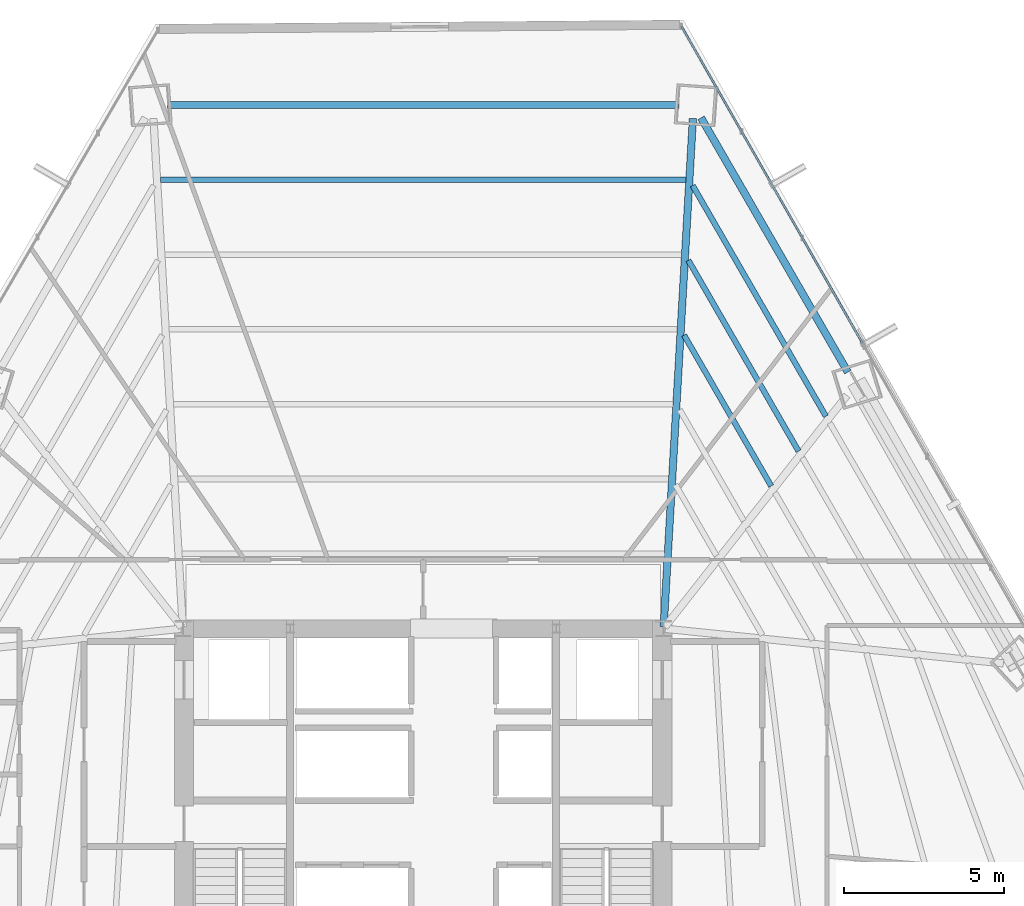
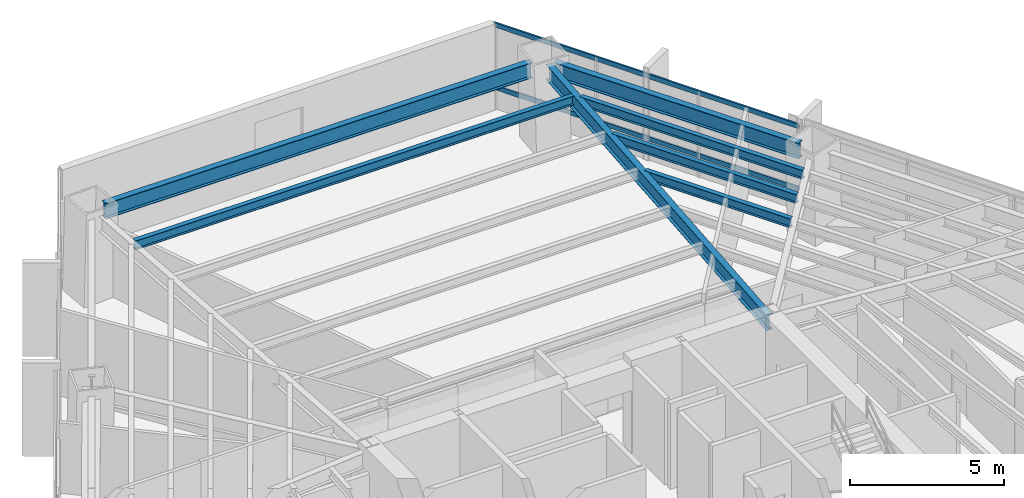
# One storey, part 27 of 36: 7 beams, 2 members, 1 element without a shape of its own.
"""IFC4 building model written with IfcOpenShell, lengths in metres."""

from ifc_helpers import new_model, si_unit, direction, frame, origin, origin_2d, place, context, subcontext, project, spatial, hollow_rectangle, i_section, extrude, source, transform, mapped, material, material_profile, profile_set, type_object, type_shapes, element, aggregate, save


model = new_model("IFC4")

# Units and contexts
model_context = context("Model", 3, precision=1e-05, world=origin(), true_north=direction((0.0, 1.0)))
body_context = subcontext(model_context, "Body", "Model", "MODEL_VIEW")
ifc_project = project(units=[si_unit("LENGTHUNIT", "METRE"), si_unit("AREAUNIT", "SQUARE_METRE"), si_unit("VOLUMEUNIT", "CUBIC_METRE"), si_unit("PLANEANGLEUNIT", "RADIAN"), si_unit("MASSUNIT", "GRAM", prefix="KILO")], contexts=[model_context])

# Site, building, storey
site_placement = place(None, origin())
site = spatial("IfcSite", under=ifc_project, at=site_placement, CompositionType="ELEMENT")
building_placement = place(site_placement, origin())
building = spatial("IfcBuilding", under=site, at=building_placement, Name="Caelisora Broadcast Tower", CompositionType="ELEMENT")
storey_placement = place(building_placement, frame((0.0, 0.0, 60.449951171875)))
storey = spatial("IfcBuildingStorey", under=building, at=storey_placement, Name="L15", CompositionType="ELEMENT", Elevation=60.449951171875)

# Beams
ifc_material_1 = material(Name="Steel Grade 350 (AS/NZS 3679.1)", Category="steel")
ifc_material_profile_1 = material_profile(ifc_material_1, i_section(OverallWidth=0.22900390625, OverallDepth=0.611572265625, WebThickness=0.011962890625, FlangeThickness=0.01953125, at=origin_2d()), Name="Steel Grade 350 (AS/NZS 3679.1)")
ifc_profile_set_1 = profile_set([ifc_material_profile_1], Name="Steel Grade 350 (AS/NZS 3679.1)")
beam_type_1 = type_object("IfcBeamType", Name="PG03", PredefinedType="BEAM", material=ifc_profile_set_1)
shared_shape_1 = source(origin(), body_context, "Body", "SweptSolid", [
    extrude(i_section(OverallWidth=0.22900390625, OverallDepth=0.611572265625, WebThickness=0.011962890625, FlangeThickness=0.01953125, at=origin_2d()), origin(), (0.0, 0.0, 1.0), 15.958984375),
])
beam_1_placement = place(storey_placement, frame((45.9794921875, 46.336181640625, 3.09423828125), z_axis=(-1.0, 0.0, 0.0), x_axis=(0.0, -1.0, 0.0)))
element("IfcBeam", 1, at=beam_1_placement, inside=storey, type_object=beam_type_1, Name="L15 beam PG03", PredefinedType="BEAM", context=body_context, shape_type="MappedRepresentation", body=[
    mapped(shared_shape_1, transform((0.0, 0.0, 0.0), scale=1.0)),
])
shared_shape_2 = source(origin(), body_context, "Body", "SweptSolid", [
    extrude(i_section(OverallWidth=0.22900390625, OverallDepth=0.611572265625, WebThickness=0.011962890625, FlangeThickness=0.01953125, at=origin_2d()), origin(), (0.0, 0.0, 1.0), 9.16259765625),
])
type_shapes(beam_type_1, [shared_shape_1, shared_shape_2])
beam_2_placement = place(storey_placement, frame((51.2509765625, 38.002685546875, 3.09423828125), z_axis=(-0.499999231632, 0.866025847402, 0.0), x_axis=(-0.866025847402, -0.499999231632, 0.0)))
element("IfcBeam", 2, at=beam_2_placement, inside=storey, type_object=beam_type_1, Name="L15 beam PG03", PredefinedType="BEAM", context=body_context, shape_type="MappedRepresentation", body=[
    mapped(shared_shape_2, transform((0.0, 0.0, 0.0), scale=1.0)),
])
ifc_material_profile_2 = material_profile(ifc_material_1, i_section(OverallWidth=0.22802734375, OverallDepth=0.602294921875, WebThickness=0.010498046875, FlangeThickness=0.014892578125, at=origin_2d()), Name="Steel Grade 350 (AS/NZS 3679.1)")
ifc_profile_set_2 = profile_set([ifc_material_profile_2], Name="Steel Grade 350 (AS/NZS 3679.1)")
beam_type_2 = type_object("IfcBeamType", Name="PG04", PredefinedType="BEAM", material=ifc_profile_set_2)
shared_shape_3 = source(origin(), body_context, "Body", "SweptSolid", [
    extrude(i_section(OverallWidth=0.22802734375, OverallDepth=0.602294921875, WebThickness=0.010498046875, FlangeThickness=0.014892578125, at=origin_2d()), origin(), (0.0, 0.0, 1.0), 15.88330078125),
])
type_shapes(beam_type_2, [shared_shape_3])
beam_3_placement = place(storey_placement, frame((45.50341796875, 30.059814453125, 3.098876953125), z_axis=(0.057425364673, 0.99834980217, 0.0), x_axis=(-0.99834980217, 0.057425364673, 0.0)))
element("IfcBeam", 3, at=beam_3_placement, inside=storey, type_object=beam_type_2, Name="L15 beam PG04", PredefinedType="BEAM", context=body_context, shape_type="MappedRepresentation", body=[
    mapped(shared_shape_3, transform((0.0, 0.0, 0.0), scale=1.0)),
])
ifc_material_profile_3 = material_profile(ifc_material_1, i_section(OverallWidth=0.172119140625, OverallDepth=0.358642578125, WebThickness=0.008056640625, FlangeThickness=0.012939453125, at=origin_2d()), Name="Steel Grade 350 (AS/NZS 3679.1)")
ifc_profile_set_3 = profile_set([ifc_material_profile_3], Name="Steel Grade 350 (AS/NZS 3679.1)")
beam_type_3 = type_object("IfcBeamType", Name="SB02", PredefinedType="JOIST", material=ifc_profile_set_3)
shared_shape_4 = source(origin(), body_context, "Body", "SweptSolid", [
    extrude(i_section(OverallWidth=0.172119140625, OverallDepth=0.358642578125, WebThickness=0.008056640625, FlangeThickness=0.012939453125, at=origin_2d()), origin(), (0.0, 0.0, 1.0), 16.38818359375),
])
beam_4_placement = place(storey_placement, frame((46.194091796875, 44.00244140625, 3.220703125), z_axis=(-1.0, 0.0, 0.0), x_axis=(0.0, -1.0, 0.0)))
element("IfcBeam", 4, at=beam_4_placement, inside=storey, type_object=beam_type_3, Name="L15 beam SB02", PredefinedType="JOIST", context=body_context, shape_type="MappedRepresentation", body=[
    mapped(shared_shape_4, transform((0.0, 0.0, 0.0), scale=1.0)),
])
shared_shape_5 = source(origin(), body_context, "Body", "SweptSolid", [
    extrude(i_section(OverallWidth=0.172119140625, OverallDepth=0.358642578125, WebThickness=0.008056640625, FlangeThickness=0.012939453125, at=origin_2d()), origin(), (0.0, 0.0, 1.0), 5.43701171875),
])
beam_5_placement = place(storey_placement, frame((48.85791015625, 34.44921875, 3.220703125), z_axis=(-0.500007500377, 0.866021073396, 0.0), x_axis=(-0.866021073396, -0.500007500377, 0.0)))
element("IfcBeam", 5, at=beam_5_placement, inside=storey, type_object=beam_type_3, Name="L15 beam SB02", PredefinedType="JOIST", context=body_context, shape_type="MappedRepresentation", body=[
    mapped(shared_shape_5, transform((0.0, 0.0, 0.0), scale=1.0)),
])
shared_shape_6 = source(origin(), body_context, "Body", "SweptSolid", [
    extrude(i_section(OverallWidth=0.172119140625, OverallDepth=0.358642578125, WebThickness=0.008056640625, FlangeThickness=0.012939453125, at=origin_2d()), origin(), (0.0, 0.0, 1.0), 6.87744140625),
])
beam_6_placement = place(storey_placement, frame((49.712158203125, 35.535400390625, 3.220703125), z_axis=(-0.499999010461, 0.866025975094, 0.0), x_axis=(-0.866025975094, -0.499999010461, 0.0)))
element("IfcBeam", 6, at=beam_6_placement, inside=storey, type_object=beam_type_3, Name="L15 beam SB02", PredefinedType="JOIST", context=body_context, shape_type="MappedRepresentation", body=[
    mapped(shared_shape_6, transform((0.0, 0.0, 0.0), scale=1.0)),
])
shared_shape_7 = source(origin(), body_context, "Body", "SweptSolid", [
    extrude(i_section(OverallWidth=0.172119140625, OverallDepth=0.358642578125, WebThickness=0.008056640625, FlangeThickness=0.012939453125, at=origin_2d()), origin(), (0.0, 0.0, 1.0), 8.31787109375),
])
type_shapes(beam_type_3, [shared_shape_4, shared_shape_5, shared_shape_6, shared_shape_7])
beam_7_placement = place(storey_placement, frame((50.566650390625, 36.621826171875, 3.220703125), z_axis=(-0.500006170614, 0.866021841149, 0.0), x_axis=(-0.866021841149, -0.500006170614, 0.0)))
element("IfcBeam", 7, at=beam_7_placement, inside=storey, type_object=beam_type_3, Name="L15 beam SB02", PredefinedType="JOIST", context=body_context, shape_type="MappedRepresentation", body=[
    mapped(shared_shape_7, transform((0.0, 0.0, 0.0), scale=1.0)),
])

# Curtain wall, members
ifc_material_2 = material(Name="Unitised Aluminium and Low-E Glass Curtain Wall", Category="glass")
curtain_wall_type = type_object("IfcCurtainWallType", Name="CW-Z1", PredefinedType="NOTDEFINED", material=ifc_material_2)
curtain_wall_placement = place(storey_placement, origin())
curtain_wall = element("IfcCurtainWall", 8, at=curtain_wall_placement, inside=storey, type_object=curtain_wall_type, Name="L15 curtain wall CW-Z1", PredefinedType="NOTDEFINED")
ifc_material_3 = material(Name="Aluminium 6063-T6 Anodised Terracotta Bronze", Category="aluminium")
ifc_material_profile_4 = material_profile(ifc_material_3, hollow_rectangle(XDim=0.06494140625, YDim=0.179931640625, WallThickness=0.00341796875, at=origin_2d()), Name="Aluminium 6063-T6 Anodised Terracotta Bronze")
ifc_profile_set_4 = profile_set([ifc_material_profile_4], Name="Aluminium 6063-T6 Anodised Terracotta Bronze")
member_type = type_object("IfcMemberType", Name="CWT-01", PredefinedType="USERDEFINED", material=ifc_profile_set_4)
shared_shape_8 = source(origin(), body_context, "Body", "SweptSolid", [
    extrude(hollow_rectangle(XDim=0.06494140625, YDim=0.179931640625, WallThickness=0.00341796875, at=origin_2d()), origin(), (0.0, 0.0, 1.0), 11.39306640625),
])
type_shapes(member_type, [shared_shape_8])
member_1_placement = place(storey_placement, frame((46.056884765625, 48.794677734375, 0.85009765625), z_axis=(0.495995851773, -0.868324890248, 0.0), x_axis=(0.868324890248, 0.495995851773, 0.0)))
member_1 = element("IfcMember", 9, at=member_1_placement, type_object=member_type, Name="L15-CW-B01 transom #1", ObjectType="TRANSOM", PredefinedType="USERDEFINED", context=body_context, shape_type="MappedRepresentation", body=[
    mapped(shared_shape_8, transform((0.0, 0.0, 0.0), scale=1.0)),
])
member_2_placement = place(storey_placement, frame((46.056884765625, 48.794677734375, 3.320068359375), z_axis=(0.495995851773, -0.868324890248, 0.0), x_axis=(0.868324890248, 0.495995851773, 0.0)))
member_2 = element("IfcMember", 10, at=member_2_placement, type_object=member_type, Name="L15-CW-B01 transom #2", ObjectType="TRANSOM", PredefinedType="USERDEFINED", context=body_context, shape_type="MappedRepresentation", body=[
    mapped(shared_shape_8, transform((0.0, 0.0, 0.0), scale=1.0)),
])
aggregate(curtain_wall, [member_1, member_2])

save(model, "model.ifc")
